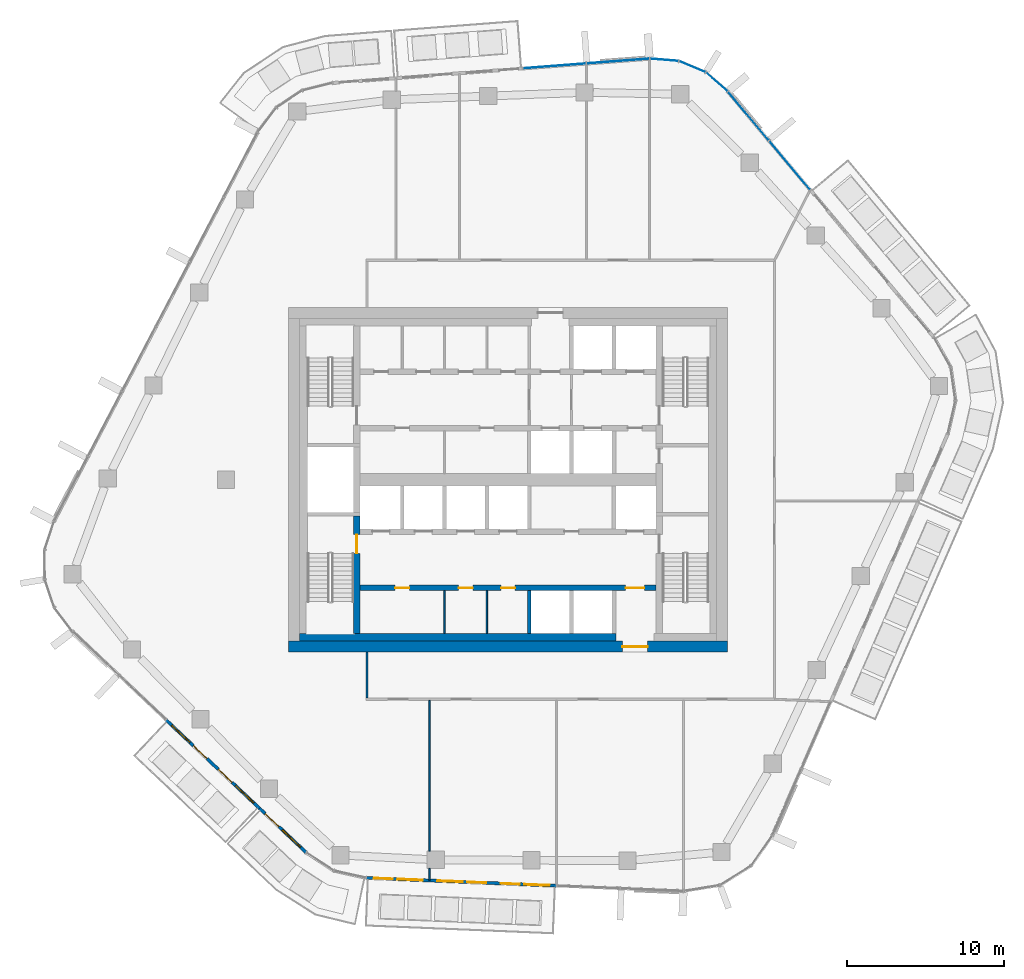
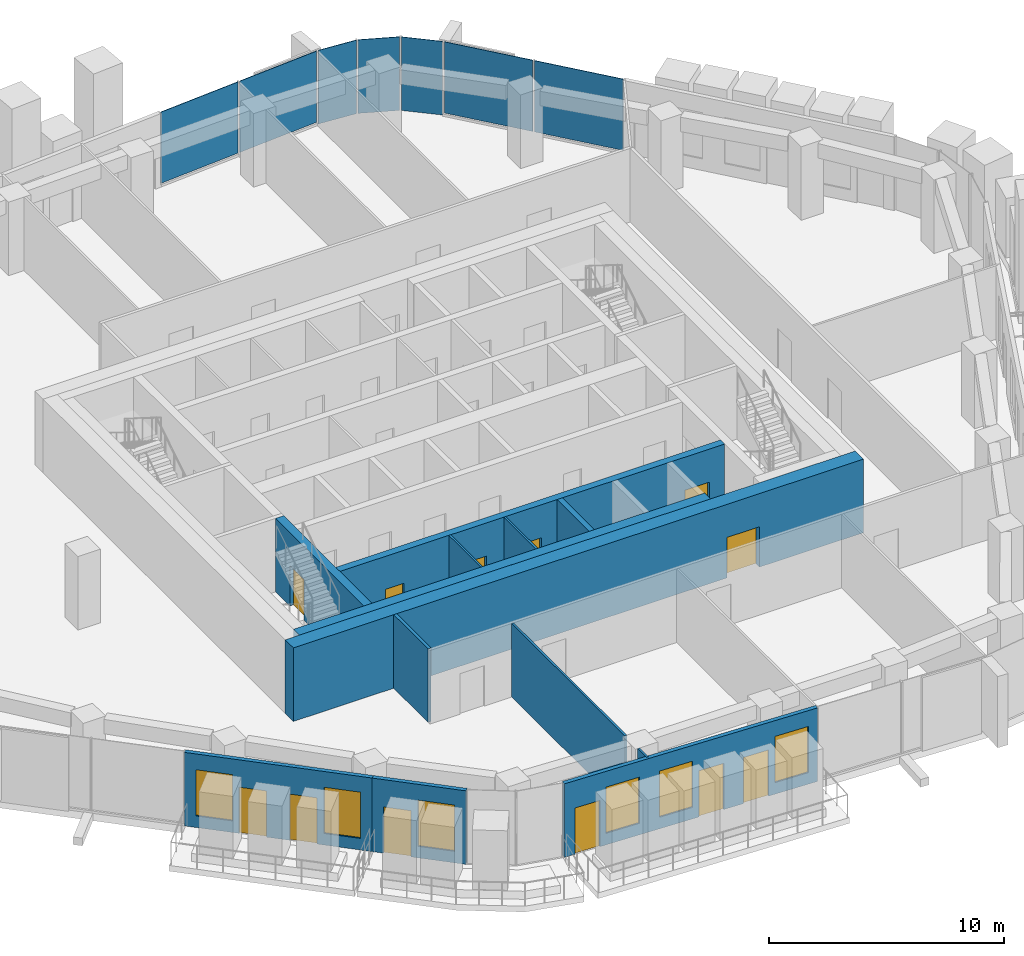
# One storey, part 10 of 20: 13 walls, 12 doors, 7 plates, 6 windows, 18 openings, 3 elements without a shape of their own.
"""IFC4 building model written with IfcOpenShell, lengths in metres."""

import ifcopenshell
import ifcopenshell.guid

model = None  # the IFC model being written
_history = None  # IfcOwnerHistory: only IFC2X3 demands one
_inside = {}  # id of a spatial element -> (the spatial element, [elements in it])
_under = {}  # id of a project, library or spatial element -> (it, [spatial elements below it])
_declared = {}  # id of a project -> (the project, [libraries it declares])
_typed = {}  # id of a type object -> (the type object, [elements of that type])
_made_of = {}  # id of a material, layer set ... -> (it, [elements and type objects made of it])


def new_model(schema):
    """Start an empty IFC model of exactly this schema.

    Asked for "IFC4X3", IfcOpenShell would pick the latest addendum, in which some entities
    have other attributes; the version numbers below select the first issue.
    IFC2X3 requires an IfcOwnerHistory on every rooted entity: one is made here for all.
    """
    global model, _history
    if schema == "IFC4X3":
        model = ifcopenshell.file(schema_version=(4, 3, 0, 0))
    else:
        model = ifcopenshell.file(schema=schema)
    _inside.clear()
    _under.clear()
    _declared.clear()
    _typed.clear()
    _made_of.clear()
    _history = None
    if model.schema == "IFC2X3":
        org = make("IfcOrganization", Name="unknown")
        user = make(
            "IfcPersonAndOrganization",
            ThePerson=make("IfcPerson", FamilyName="unknown"),
            TheOrganization=org,
        )
        app = make(
            "IfcApplication",
            ApplicationDeveloper=org,
            Version="unknown",
            ApplicationFullName="unknown",
            ApplicationIdentifier="unknown",
        )
        _history = make(
            "IfcOwnerHistory",
            OwningUser=user,
            OwningApplication=app,
            ChangeAction="ADDED",
            CreationDate=0,
        )
    return model


def make(cls, **values):
    """One entity of the class cls with the attributes given. An attribute that is None is left unset."""
    return model.create_entity(
        cls, **{name: value for name, value in values.items() if value is not None}
    )


def rooted(cls, **values):
    """An entity with a GlobalId (a new one), such as an element, a storey or a relation."""
    return make(cls, GlobalId=ifcopenshell.guid.new(), OwnerHistory=_history, **values)


def si_unit(unit_type, name, prefix=None):
    """IfcSIUnit, for example si_unit("LENGTHUNIT", "METRE", prefix="MILLI")."""
    return make("IfcSIUnit", UnitType=unit_type, Prefix=prefix, Name=name)


def assignment(units):
    """IfcUnitAssignment: the units of a project."""
    return None if units is None else make("IfcUnitAssignment", Units=units)


def point(xyz):
    """IfcCartesianPoint."""
    return None if xyz is None else make("IfcCartesianPoint", Coordinates=xyz)


def direction(xyz):
    """IfcDirection."""
    return None if xyz is None else make("IfcDirection", DirectionRatios=xyz)


def frame(location, z_axis=None, x_axis=None):
    """IfcAxis2Placement3D, a coordinate frame: its origin and axes. An axis left out is left unset."""
    return make(
        "IfcAxis2Placement3D",
        Location=point(location),
        Axis=direction(z_axis),
        RefDirection=direction(x_axis),
    )


def frame_2d(location, x_axis=None):
    """IfcAxis2Placement2D, a coordinate frame in the plane: its origin and x axis."""
    return make(
        "IfcAxis2Placement2D", Location=point(location), RefDirection=direction(x_axis)
    )


def origin():
    """The frame at (0, 0, 0) with its axes left unset."""
    return frame((0.0, 0.0, 0.0))


def origin_2d():
    """The frame at (0, 0) in the plane with its x axis left unset."""
    return frame_2d((0.0, 0.0))


def place(relative_to, where):
    """IfcLocalPlacement: puts the frame where relative to a parent placement (None: the world)."""
    return make(
        "IfcLocalPlacement", PlacementRelTo=relative_to, RelativePlacement=where
    )


def context(
    kind, dimensions, precision=None, world=None, true_north=None, identifier=None
):
    """IfcGeometricRepresentationContext, for example the 3D "Model" context."""
    return make(
        "IfcGeometricRepresentationContext",
        ContextIdentifier=identifier,
        ContextType=kind,
        CoordinateSpaceDimension=dimensions,
        Precision=precision,
        WorldCoordinateSystem=world,
        TrueNorth=true_north,
    )


def subcontext(parent, identifier, kind, view, scale=None):
    """IfcGeometricRepresentationSubContext, for example "Body" below "Model"."""
    return make(
        "IfcGeometricRepresentationSubContext",
        ContextIdentifier=identifier,
        ContextType=kind,
        ParentContext=parent,
        TargetScale=scale,
        TargetView=view,
    )


def project(units=None, contexts=None):
    """IfcProject with its units and contexts."""
    return rooted(
        "IfcProject",
        Name="project",
        RepresentationContexts=contexts,
        UnitsInContext=assignment(units),
    )


def spatial(cls, under=None, at=None, **own):
    """A site, building, storey or space (cls), placed at a placement, below another one or the project."""
    s = rooted(cls, ObjectPlacement=at, **own)
    if under is not None:
        _under.setdefault(under.id(), (under, []))[1].append(s)
    return s


def profile(cls, at=None, kind="AREA", **sizes):
    """A parametric profile (cls). Its sizes go by their IFC names, for example OverallWidth=200.0."""
    return make(cls, ProfileType=kind, Position=at, **sizes)


def rectangle(**sizes):
    """IfcRectangleProfileDef."""
    return profile("IfcRectangleProfileDef", **sizes)


def extrude(swept, where, along, depth):
    """IfcExtrudedAreaSolid: the profile swept, set in the frame where, extruded along a direction by depth."""
    return make(
        "IfcExtrudedAreaSolid",
        SweptArea=swept,
        Position=where,
        ExtrudedDirection=direction(along),
        Depth=depth,
    )


def shape(context_of_items, identifier, shape_type, items):
    """IfcShapeRepresentation: the items that make up one representation, for example the "Body"."""
    return make(
        "IfcShapeRepresentation",
        ContextOfItems=context_of_items,
        RepresentationIdentifier=identifier,
        RepresentationType=shape_type,
        Items=items,
    )


def material(Name=None, Category=None):
    """IfcMaterial."""
    return make("IfcMaterial", Name=Name, Category=Category)


def layer(
    of_material, thickness, ventilated=None, Name=None, Category=None, Priority=None
):
    """IfcMaterialLayer: one layer of a wall or slab, of a material (None: an air gap)."""
    return make(
        "IfcMaterialLayer",
        Material=of_material,
        LayerThickness=thickness,
        IsVentilated=ventilated,
        Name=Name,
        Category=Category,
        Priority=Priority,
    )


def layer_set(layers, Name=None):
    """IfcMaterialLayerSet."""
    return make("IfcMaterialLayerSet", MaterialLayers=layers, LayerSetName=Name)


def made_of(thing, what):
    """Note that an element or type object is made of a material, layer set ...; save() writes the relation."""
    if what is not None:
        _made_of.setdefault(what.id(), (what, []))[1].append(thing)
    return thing


def type_object(cls, material=None, **own):
    """A type object (cls), such as IfcWallType, which elements share."""
    return made_of(rooted(cls, **own), material)


def element(
    cls,
    number,
    at=None,
    inside=None,
    cuts=None,
    type_object=None,
    material=None,
    context=None,
    identifier="Body",
    shape_type=None,
    held_by="IfcProductDefinitionShape",
    body=None,
    shapes=None,
    **own,
):
    """One element of the class cls, such as IfcWall. Its Tag is "e" and its number.

    at: its placement. inside: the storey or other place that contains it. cuts: it is an
    opening in that element (IfcRelVoidsElement). A single representation is given by context,
    identifier, shape_type and body (its items); several are given by shapes. held_by: the class
    of the entity that holds the representations. save() writes the other relations.
    """
    e = rooted(cls, Tag="e%d" % number, ObjectPlacement=at, **own)
    if body is not None:
        shapes = [shape(context, identifier, shape_type, body)]
    if shapes is not None:
        e.Representation = make(held_by, Representations=shapes)
    if inside is not None:
        _inside.setdefault(inside.id(), (inside, []))[1].append(e)
    if cuts is not None:
        rooted(
            "IfcRelVoidsElement", RelatingBuildingElement=cuts, RelatedOpeningElement=e
        )
    if type_object is not None:
        _typed.setdefault(type_object.id(), (type_object, []))[1].append(e)
    return made_of(e, material)


def fill(opening, filler):
    """IfcRelFillsElement: the door or window that sits in an opening."""
    return rooted(
        "IfcRelFillsElement",
        RelatingOpeningElement=opening,
        RelatedBuildingElement=filler,
    )


def aggregate(whole, parts):
    """IfcRelAggregates: a whole, such as a stair, and the parts it consists of."""
    return rooted("IfcRelAggregates", RelatingObject=whole, RelatedObjects=parts)


def save(model, path):
    """Write the relations noted so far, then the file.

    IfcRelAggregates (storeys below a building ...), IfcRelContainedInSpatialStructure (elements
    in a storey), IfcRelDefinesByType, IfcRelAssociatesMaterial and IfcRelDeclares: one each for
    every whole, place, type object, material and project.
    """
    for whole, parts in _under.values():
        aggregate(whole, parts)
    for where, things in _inside.values():
        rooted(
            "IfcRelContainedInSpatialStructure",
            RelatedElements=things,
            RelatingStructure=where,
        )
    for kind, things in _typed.values():
        rooted("IfcRelDefinesByType", RelatedObjects=things, RelatingType=kind)
    for what, things in _made_of.values():
        rooted("IfcRelAssociatesMaterial", RelatedObjects=things, RelatingMaterial=what)
    for by, libraries in _declared.values():
        rooted("IfcRelDeclares", RelatingContext=by, RelatedDefinitions=libraries)
    model.write(path)


model = new_model("IFC4")

# Units and contexts
model_context = context("Model", 3, precision=1e-05, world=origin(), true_north=direction((0.0, 1.0)))
body_context = subcontext(model_context, "Body", "Model", "MODEL_VIEW")
ifc_project = project(units=[si_unit("LENGTHUNIT", "METRE"), si_unit("AREAUNIT", "SQUARE_METRE"), si_unit("VOLUMEUNIT", "CUBIC_METRE"), si_unit("PLANEANGLEUNIT", "RADIAN"), si_unit("MASSUNIT", "GRAM", prefix="KILO")], contexts=[model_context])

# Site, building, storey
site_placement = place(None, origin())
site = spatial("IfcSite", under=ifc_project, at=site_placement, CompositionType="ELEMENT")
building_placement = place(site_placement, origin())
building = spatial("IfcBuilding", under=site, at=building_placement, Name="Dongbaek Canopy Tower", CompositionType="ELEMENT")
storey_placement = place(building_placement, frame((0.0, 0.0, 249.60009765625)))
storey = spatial("IfcBuildingStorey", under=building, at=storey_placement, Name="L52", CompositionType="ELEMENT", Elevation=249.60009765625)

# Curtain wall, plates
ifc_material_1 = material(Name="Aluminium 6063-T6 pale anodised", Category="aluminium")
ifc_layer_1 = layer(ifc_material_1, 0.199951171875)
ifc_layer_set_1 = layer_set([ifc_layer_1], Name="CW-1 unitised tower curtain wall")
curtain_wall_type = type_object("IfcCurtainWallType", Name="CW-1 unitised tower curtain wall", PredefinedType="NOTDEFINED", material=ifc_layer_set_1)
curtain_wall_1_placement = place(storey_placement, origin())
curtain_wall_1 = element("IfcCurtainWall", 1, at=curtain_wall_1_placement, inside=storey, type_object=curtain_wall_type, Name="CW-1 curtain wall F0.1", PredefinedType="NOTDEFINED")
ifc_material_2 = material(Name="Clear laminated glass", Category="glass")
ifc_layer_2 = layer(ifc_material_2, 0.028076171875)
ifc_layer_set_2 = layer_set([ifc_layer_2], Name="CW-1 glazed panel 28")
plate_type = type_object("IfcPlateType", Name="CW-1 glazed panel 28", PredefinedType="CURTAIN_PANEL", material=ifc_layer_set_2)
plate_1_placement = place(storey_placement, frame((17.961669921875, 20.06689453125, 0.1201171875), z_axis=(0.0, 0.0, 1.0), x_axis=(-0.64239310834, 0.766375296025, 0.0)))
plate_1 = element("IfcPlate", 2, at=plate_1_placement, type_object=plate_type, Name="CW-1 panel F0.1.1.1", PredefinedType="CURTAIN_PANEL", context=body_context, shape_type="SweptSolid", body=[
    extrude(rectangle(XDim=4.0107421875, YDim=0.028076171875, at=origin_2d()), origin(), (0.0, 0.0, 1.0), 3.699951171875),
])
plate_2_placement = place(storey_placement, frame((15.333984375, 23.201904296875, 0.1201171875), z_axis=(0.0, 0.0, 1.0), x_axis=(-0.64239310834, 0.766375296025, 0.0)))
plate_2 = element("IfcPlate", 3, at=plate_2_placement, type_object=plate_type, Name="CW-1 panel F0.1.2.1", PredefinedType="CURTAIN_PANEL", context=body_context, shape_type="SweptSolid", body=[
    extrude(rectangle(XDim=4.002685546875, YDim=0.028076171875, at=origin_2d()), origin(), (0.0, 0.0, 1.0), 3.699951171875),
])
aggregate(curtain_wall_1, [plate_1, plate_2])

curtain_wall_2_placement = place(storey_placement, origin())
curtain_wall_2 = element("IfcCurtainWall", 4, at=curtain_wall_2_placement, inside=storey, type_object=curtain_wall_type, Name="CW-1 curtain wall K1.1", PredefinedType="NOTDEFINED")
plate_3_placement = place(storey_placement, frame((13.316162109375, 25.3798828125, 0.0), z_axis=(0.0, 0.0, 1.0), x_axis=(-0.755169247449, 0.655529867899, 0.0)))
plate_3 = element("IfcPlate", 5, at=plate_3_placement, type_object=plate_type, Name="CW-1 panel K1.1.1.1", PredefinedType="CURTAIN_PANEL", context=body_context, shape_type="SweptSolid", body=[
    extrude(rectangle(XDim=1.78369140625, YDim=0.028076171875, at=origin_2d()), origin(), (0.0, 0.0, 1.0), 3.820068359375),
])
plate_4_placement = place(storey_placement, frame((11.753662109375, 26.352783203125, 0.0), z_axis=(0.0, 0.0, 1.0), x_axis=(-0.921724317139, 0.387845695084, 0.0)))
plate_4 = element("IfcPlate", 6, at=plate_4_placement, type_object=plate_type, Name="CW-1 panel K1.1.2.1", PredefinedType="CURTAIN_PANEL", context=body_context, shape_type="SweptSolid", body=[
    extrude(rectangle(XDim=1.775634765625, YDim=0.028076171875, at=origin_2d()), origin(), (0.0, 0.0, 1.0), 3.820068359375),
])
plate_5_placement = place(storey_placement, frame((9.966064453125, 26.78955078125, 0.0), z_axis=(0.0, 0.0, 1.0), x_axis=(-0.996664222618, 0.081611441315, 0.0)))
plate_5 = element("IfcPlate", 7, at=plate_5_placement, type_object=plate_type, Name="CW-1 panel K1.1.3.1", PredefinedType="CURTAIN_PANEL", context=body_context, shape_type="SweptSolid", body=[
    extrude(rectangle(XDim=1.78369140625, YDim=0.028076171875, at=origin_2d()), origin(), (0.0, 0.0, 1.0), 3.820068359375),
])
aggregate(curtain_wall_2, [plate_3, plate_4, plate_5])

curtain_wall_3_placement = place(storey_placement, origin())
curtain_wall_3 = element("IfcCurtainWall", 8, at=curtain_wall_3_placement, inside=storey, type_object=curtain_wall_type, Name="CW-1 curtain wall F1.1", PredefinedType="NOTDEFINED")
plate_6_placement = place(storey_placement, frame((7.0146484375, 26.710693359375, 0.1201171875), z_axis=(0.0, 0.0, 1.0), x_axis=(-0.997068179949, -0.076518262748, 0.0)))
plate_6 = element("IfcPlate", 9, at=plate_6_placement, type_object=plate_type, Name="CW-1 panel F1.1.1.1", PredefinedType="CURTAIN_PANEL", context=body_context, shape_type="SweptSolid", body=[
    extrude(rectangle(XDim=3.968994140625, YDim=0.028076171875, at=origin_2d()), origin(), (0.0, 0.0, 1.0), 3.699951171875),
])
plate_7_placement = place(storey_placement, frame((2.969482421875, 26.400390625, 0.1201171875), z_axis=(0.0, 0.0, 1.0), x_axis=(-0.997068179949, -0.076518262748, 0.0)))
plate_7 = element("IfcPlate", 10, at=plate_7_placement, type_object=plate_type, Name="CW-1 panel F1.1.2.1", PredefinedType="CURTAIN_PANEL", context=body_context, shape_type="SweptSolid", body=[
    extrude(rectangle(XDim=3.97705078125, YDim=0.028076171875, at=origin_2d()), origin(), (0.0, 0.0, 1.0), 3.699951171875),
])
aggregate(curtain_wall_3, [plate_6, plate_7])

# Wall, openings, doors
ifc_material_3 = material(Name="Concrete C60/75", Category="concrete")
ifc_layer_3 = layer(ifc_material_3, 0.35009765625)
ifc_layer_set_3 = layer_set([ifc_layer_3], Name="Core lobby wall 350 Concrete C60/75")
wall_type_1 = type_object("IfcWallType", Name="Core lobby wall 350 Concrete C60/75", PredefinedType="SHEAR", material=ifc_layer_set_3)
wall_1_placement = place(storey_placement, frame((9.449951171875, -6.89990234375, 0.0), z_axis=(0.0, 0.0, 1.0), x_axis=(-1.0, 0.0, 0.0)))
wall_1 = element("IfcWall", 11, at=wall_1_placement, inside=storey, type_object=wall_type_1, Name="Core wall", PredefinedType="SHEAR", context=body_context, shape_type="SweptSolid", body=[
    extrude(rectangle(XDim=18.89990234375, YDim=0.35009765625, at=frame_2d((9.449951171875, 0.0))), origin(), (0.0, 0.0, 1.0), 3.81982421875),
])
opening_1_placement = place(wall_1_placement, frame((0.75, 0.0, 0.0)))
opening_1 = element("IfcOpeningElement", 12, at=opening_1_placement, cuts=wall_1, Name="Opening L52-D025", PredefinedType="OPENING", context=body_context, shape_type="SweptSolid", body=[
    extrude(rectangle(XDim=1.199951171875, YDim=2.10009765625, at=frame_2d((0.60009765625, 1.050048828125))), frame((0.0, 0.18505859375, 0.0), z_axis=(0.0, -1.0, 0.0), x_axis=(1.0, 0.0, 0.0)), (0.0, 0.0, 1.0), 0.3701171875),
])
opening_2_placement = place(wall_1_placement, frame((15.75, 0.0, 0.0)))
opening_2 = element("IfcOpeningElement", 13, at=opening_2_placement, cuts=wall_1, Name="Opening L52-D033", PredefinedType="OPENING", context=body_context, shape_type="SweptSolid", body=[
    extrude(rectangle(XDim=0.89990234375, YDim=2.10009765625, at=frame_2d((0.449951171875, 1.050048828125))), frame((0.0, 0.18505859375, 0.0), z_axis=(0.0, -1.0, 0.0), x_axis=(1.0, 0.0, 0.0)), (0.0, 0.0, 1.0), 0.3701171875),
])
opening_3_placement = place(wall_1_placement, frame((11.699951171875, 0.0, 0.0)))
opening_3 = element("IfcOpeningElement", 14, at=opening_3_placement, cuts=wall_1, Name="Opening L52-D034", PredefinedType="OPENING", context=body_context, shape_type="SweptSolid", body=[
    extrude(rectangle(XDim=0.89990234375, YDim=2.10009765625, at=frame_2d((0.449951171875, 1.050048828125))), frame((0.0, 0.18505859375, 0.0), z_axis=(0.0, -1.0, 0.0), x_axis=(1.0, 0.0, 0.0)), (0.0, 0.0, 1.0), 0.3701171875),
])
opening_4_placement = place(wall_1_placement, frame((9.0, 0.0, 0.0)))
opening_4 = element("IfcOpeningElement", 15, at=opening_4_placement, cuts=wall_1, Name="Opening L52-D035", PredefinedType="OPENING", context=body_context, shape_type="SweptSolid", body=[
    extrude(rectangle(XDim=0.89990234375, YDim=2.10009765625, at=frame_2d((0.449951171875, 1.050048828125))), frame((0.0, 0.18505859375, 0.0), z_axis=(0.0, -1.0, 0.0), x_axis=(1.0, 0.0, 0.0)), (0.0, 0.0, 1.0), 0.3701171875),
])
ifc_material_4 = material(Name="Steel", Category="steel")
door_type_1 = type_object("IfcDoorType", Name="Core room door 900 x 2100", OperationType="SINGLE_SWING_LEFT", PredefinedType="DOOR", material=ifc_material_4)
door_1_placement = place(opening_2_placement, origin())
door_1 = element("IfcDoor", 16, at=door_1_placement, inside=storey, type_object=door_type_1, Name="Door L52-D033", OperationType="SINGLE_SWING_LEFT", OverallHeight=2.10009765625, OverallWidth=0.89990234375, PredefinedType="DOOR", context=body_context, shape_type="SweptSolid", body=[
    extrude(rectangle(XDim=0.89990234375, YDim=2.10009765625, at=frame_2d((0.449951171875, 1.050048828125))), frame((0.0, 0.02490234375, 0.0), z_axis=(0.0, -1.0, 0.0), x_axis=(1.0, 0.0, 0.0)), (0.0, 0.0, 1.0), 0.050048828125),
])
fill(opening_2, door_1)
door_2_placement = place(opening_3_placement, origin())
door_2 = element("IfcDoor", 17, at=door_2_placement, inside=storey, type_object=door_type_1, Name="Door L52-D034", OperationType="SINGLE_SWING_RIGHT", OverallHeight=2.10009765625, OverallWidth=0.89990234375, PredefinedType="DOOR", context=body_context, shape_type="SweptSolid", body=[
    extrude(rectangle(XDim=0.89990234375, YDim=2.10009765625, at=frame_2d((0.449951171875, 1.050048828125))), frame((0.0, 0.02490234375, 0.0), z_axis=(0.0, -1.0, 0.0), x_axis=(1.0, 0.0, 0.0)), (0.0, 0.0, 1.0), 0.050048828125),
])
fill(opening_3, door_2)
door_3_placement = place(opening_4_placement, origin())
door_3 = element("IfcDoor", 18, at=door_3_placement, inside=storey, type_object=door_type_1, Name="Door L52-D035", OperationType="SINGLE_SWING_LEFT", OverallHeight=2.10009765625, OverallWidth=0.89990234375, PredefinedType="DOOR", context=body_context, shape_type="SweptSolid", body=[
    extrude(rectangle(XDim=0.89990234375, YDim=2.10009765625, at=frame_2d((0.449951171875, 1.050048828125))), frame((0.0, 0.02490234375, 0.0), z_axis=(0.0, -1.0, 0.0), x_axis=(1.0, 0.0, 0.0)), (0.0, 0.0, 1.0), 0.050048828125),
])
fill(opening_4, door_3)
ifc_material_5 = material(Name="Steel", Category="steel")
door_type_2 = type_object("IfcDoorType", Name="Fire lobby door 1200 x 2100", OperationType="SINGLE_SWING_LEFT", PredefinedType="DOOR", material=ifc_material_5)
door_4_placement = place(opening_1_placement, origin())
door_4 = element("IfcDoor", 19, at=door_4_placement, inside=storey, type_object=door_type_2, Name="Door L52-D025", OperationType="SINGLE_SWING_LEFT", OverallHeight=2.10009765625, OverallWidth=1.199951171875, PredefinedType="DOOR", context=body_context, shape_type="SweptSolid", body=[
    extrude(rectangle(XDim=1.199951171875, YDim=2.10009765625, at=frame_2d((0.60009765625, 1.050048828125))), frame((0.0, 0.02490234375, 0.0), z_axis=(0.0, -1.0, 0.0), x_axis=(1.0, 0.0, 0.0)), (0.0, 0.0, 1.0), 0.050048828125),
])
fill(opening_1, door_4)

# Wall, opening, door
ifc_material_6 = material(Name="Concrete C70/85", Category="concrete")
ifc_layer_4 = layer(ifc_material_6, 0.699951171875)
ifc_layer_set_4 = layer_set([ifc_layer_4], Name="Core outer wall 700 Concrete C70/85")
wall_type_2 = type_object("IfcWallType", Name="Core outer wall 700 Concrete C70/85", PredefinedType="SHEAR", material=ifc_layer_set_4)
wall_2_placement = place(storey_placement, frame((14.0, -10.64990234375, 0.0), z_axis=(0.0, 0.0, 1.0), x_axis=(-1.0, 0.0, 0.0)))
wall_2 = element("IfcWall", 20, at=wall_2_placement, inside=storey, type_object=wall_type_2, Name="Core wall", PredefinedType="SHEAR", context=body_context, shape_type="SweptSolid", body=[
    extrude(rectangle(XDim=28.0, YDim=0.699951171875, at=frame_2d((14.0, 0.0))), origin(), (0.0, 0.0, 1.0), 3.81982421875),
])
opening_5_placement = place(wall_2_placement, frame((5.10009765625, 0.0, 0.0)))
opening_5 = element("IfcOpeningElement", 21, at=opening_5_placement, cuts=wall_2, Name="Opening L52-D024", PredefinedType="OPENING", context=body_context, shape_type="SweptSolid", body=[
    extrude(rectangle(XDim=1.60009765625, YDim=2.10009765625, at=frame_2d((0.800048828125, 1.050048828125))), frame((0.0, 0.35986328125, 0.0), z_axis=(0.0, -1.0, 0.0), x_axis=(1.0, 0.0, 0.0)), (0.0, 0.0, 1.0), 0.719970703125),
])
ifc_material_7 = material(Name="Steel", Category="steel")
door_type_3 = type_object("IfcDoorType", Name="Core exit door 1600 x 2100", OperationType="DOUBLE_DOOR_SINGLE_SWING", PredefinedType="DOOR", material=ifc_material_7)
door_5_placement = place(opening_5_placement, origin())
door_5 = element("IfcDoor", 22, at=door_5_placement, inside=storey, type_object=door_type_3, Name="Core exit door", OperationType="DOUBLE_DOOR_SINGLE_SWING", OverallHeight=2.10009765625, OverallWidth=1.60009765625, PredefinedType="DOOR", context=body_context, shape_type="SweptSolid", body=[
    extrude(rectangle(XDim=1.60009765625, YDim=2.10009765625, at=frame_2d((0.800048828125, 1.050048828125))), frame((0.0, 0.02490234375, 0.0), z_axis=(0.0, -1.0, 0.0), x_axis=(1.0, 0.0, 0.0)), (0.0, 0.0, 1.0), 0.050048828125),
])
fill(opening_5, door_5)

# Walls
ifc_material_8 = material(Name="Concrete C60/75", Category="concrete")
ifc_layer_5 = layer(ifc_material_8, 0.5)
ifc_layer_set_5 = layer_set([ifc_layer_5], Name="Core wall lining 500 Concrete C60/75")
wall_type_3 = type_object("IfcWallType", Name="Core wall lining 500 Concrete C60/75", PredefinedType="SHEAR", material=ifc_layer_set_5)
wall_3_placement = place(storey_placement, frame((6.89990234375, -10.050048828125, 0.0), z_axis=(0.0, 0.0, 1.0), x_axis=(-1.0, 0.0, 0.0)))
element("IfcWall", 23, at=wall_3_placement, inside=storey, type_object=wall_type_3, Name="Core wall lining", PredefinedType="SHEAR", context=body_context, shape_type="SweptSolid", body=[
    extrude(rectangle(XDim=20.199951171875, YDim=0.5, at=frame_2d((10.10009765625, 0.0))), origin(), (0.0, 0.0, 1.0), 3.81982421875),
])
ifc_material_9 = material(Name="Gypsum board partition, steel stud, 2 x 15 mm fire board", Category="steel")
ifc_layer_6 = layer(ifc_material_9, 0.14990234375)
ifc_layer_set_6 = layer_set([ifc_layer_6], Name="Fire-rated partition 150 gypsum board")
wall_type_4 = type_object("IfcWallType", Name="Fire-rated partition 150 gypsum board", PredefinedType="PARTITIONING", material=ifc_layer_set_6)
wall_4_placement = place(storey_placement, frame((-9.0, -13.925048828125, 0.0), z_axis=(0.0, 0.0, 1.0), x_axis=(0.0, 1.0, 0.0)))
element("IfcWall", 24, at=wall_4_placement, inside=storey, type_object=wall_type_4, Name="Corridor partition", PredefinedType="PARTITIONING", context=body_context, shape_type="SweptSolid", body=[
    extrude(rectangle(XDim=2.925048828125, YDim=0.14990234375, at=frame_2d((1.46240234375, 0.0))), origin(), (0.0, 0.0, 1.0), 3.81982421875),
])
ifc_material_10 = material(Name="Concrete C40/50", Category="concrete")
ifc_layer_7 = layer(ifc_material_10, 0.25)
ifc_layer_set_7 = layer_set([ifc_layer_7], Name="Lift shaft wall 250 Concrete C40/50")
wall_type_5 = type_object("IfcWallType", Name="Lift shaft wall 250 Concrete C40/50", PredefinedType="SOLIDWALL", material=ifc_layer_set_7)
wall_5_placement = place(storey_placement, frame((1.35009765625, -9.800048828125, 0.0), z_axis=(0.0, 0.0, 1.0), x_axis=(0.0, 1.0, 0.0)))
element("IfcWall", 25, at=wall_5_placement, inside=storey, type_object=wall_type_5, Name="Lift shaft wall", PredefinedType="SOLIDWALL", context=body_context, shape_type="SweptSolid", body=[
    extrude(rectangle(XDim=2.72509765625, YDim=0.25, at=frame_2d((1.362548828125, 0.0))), origin(), (0.0, 0.0, 1.0), 3.81982421875),
])
ifc_material_11 = material(Name="Gypsum board partition, steel stud, 2 x 12.5 mm board", Category="steel")
ifc_layer_8 = layer(ifc_material_11, 0.10009765625)
ifc_layer_set_8 = layer_set([ifc_layer_8], Name="Partition 100 gypsum board")
wall_type_6 = type_object("IfcWallType", Name="Partition 100 gypsum board", PredefinedType="PARTITIONING", material=ifc_layer_set_8)
wall_6_placement = place(storey_placement, frame((-5.001953125, -25.54296875, 0.0), z_axis=(0.0, 0.0, 1.0), x_axis=(0.0, 1.0, 0.0)))
element("IfcWall", 26, at=wall_6_placement, inside=storey, type_object=wall_type_6, Name="Partition", PredefinedType="PARTITIONING", context=body_context, shape_type="SweptSolid", body=[
    extrude(rectangle(XDim=0.7470703125, YDim=0.10009765625, at=frame_2d((0.37353515625, 0.0))), origin(), (0.0, 0.0, 1.0), 3.81982421875),
])
wall_7_placement = place(storey_placement, frame((-5.001953125, -23.696044921875, 0.0), z_axis=(0.0, 0.0, 1.0), x_axis=(0.0, 1.0, 0.0)))
element("IfcWall", 27, at=wall_7_placement, inside=storey, type_object=wall_type_6, Name="Partition", PredefinedType="PARTITIONING", context=body_context, shape_type="SweptSolid", body=[
    extrude(rectangle(XDim=9.62109375, YDim=0.10009765625, at=frame_2d((4.810546875, 0.0))), origin(), (0.0, 0.0, 1.0), 3.81982421875),
])
for number, where, z_axis, x_axis, name in (
    (28, (-1.35009765625, -9.800048828125, 0.0), (0.0, 0.0, 1.0), (0.0, 1.0, 0.0), "Core partition"),
    (29, (-4.050048828125, -9.800048828125, 0.0), (0.0, 0.0, 1.0), (0.0, 1.0, 0.0), "Core partition"),
):
    element("IfcWall", number, at=place(storey_placement, frame(where, z_axis=z_axis, x_axis=x_axis)), inside=storey, type_object=wall_type_6, Name=name, PredefinedType="PARTITIONING", context=body_context, shape_type="SweptSolid", body=[
        extrude(rectangle(XDim=2.72509765625, YDim=0.10009765625, at=frame_2d((1.362548828125, 0.0))), origin(), (0.0, 0.0, 1.0), 3.81982421875),
    ])

# Wall, opening, door
ifc_material_12 = material(Name="Concrete C60/75", Category="concrete")
ifc_layer_9 = layer(ifc_material_12, 0.39990234375)
ifc_layer_set_9 = layer_set([ifc_layer_9], Name="Stair wall 400 Concrete C60/75")
wall_type_7 = type_object("IfcWallType", Name="Stair wall 400 Concrete C60/75", PredefinedType="SHEAR", material=ifc_layer_set_9)
wall_8_placement = place(storey_placement, frame((-9.64990234375, -9.800048828125, 0.0), z_axis=(0.0, 0.0, 1.0), x_axis=(0.0, 1.0, 0.0)))
wall_8 = element("IfcWall", 30, at=wall_8_placement, inside=storey, type_object=wall_type_7, Name="Stair wall", PredefinedType="SHEAR", context=body_context, shape_type="SweptSolid", body=[
    extrude(rectangle(XDim=7.5, YDim=0.39990234375, at=frame_2d((3.75, 0.0))), origin(), (0.0, 0.0, 1.0), 3.81982421875),
])
opening_6_placement = place(wall_8_placement, frame((5.10009765625, 0.0, 0.0)))
opening_6 = element("IfcOpeningElement", 31, at=opening_6_placement, cuts=wall_8, Name="Opening L52-D039", PredefinedType="OPENING", context=body_context, shape_type="SweptSolid", body=[
    extrude(rectangle(XDim=1.199951171875, YDim=2.10009765625, at=frame_2d((0.60009765625, 1.050048828125))), frame((0.0, 0.2099609375, 0.0), z_axis=(0.0, -1.0, 0.0), x_axis=(1.0, 0.0, 0.0)), (0.0, 0.0, 1.0), 0.419921875),
])
ifc_material_13 = material(Name="Steel", Category="steel")
door_type_4 = type_object("IfcDoorType", Name="Stair door 1200 x 2100", OperationType="SINGLE_SWING_LEFT", PredefinedType="DOOR", material=ifc_material_13)
door_6_placement = place(opening_6_placement, origin())
door_6 = element("IfcDoor", 32, at=door_6_placement, inside=storey, type_object=door_type_4, Name="Stair D door", OperationType="SINGLE_SWING_LEFT", OverallHeight=2.10009765625, OverallWidth=1.199951171875, PredefinedType="DOOR", context=body_context, shape_type="SweptSolid", body=[
    extrude(rectangle(XDim=1.199951171875, YDim=2.10009765625, at=frame_2d((0.60009765625, 1.050048828125))), frame((0.0, 0.02490234375, 0.0), z_axis=(0.0, -1.0, 0.0), x_axis=(1.0, 0.0, 0.0)), (0.0, 0.0, 1.0), 0.050048828125),
])
fill(opening_6, door_6)

# Wall, openings, doors, windows
ifc_material_14 = material(Name="Aluminium window wall", Category="aluminium")
ifc_layer_10 = layer(ifc_material_14, 0.199951171875)
ifc_layer_set_10 = layer_set([ifc_layer_10], Name="Window wall 200")
wall_type_8 = type_object("IfcWallType", Name="Window wall 200", PredefinedType="SOLIDWALL", material=ifc_layer_set_10)
wall_9_placement = place(storey_placement, frame((-21.822998046875, -15.315185546875, 0.0), z_axis=(0.0, 0.0, 1.0), x_axis=(0.72637578777, -0.68729776294, 0.0)))
wall_9 = element("IfcWall", 33, at=wall_9_placement, inside=storey, type_object=wall_type_8, Name="Window wall L52 3", PredefinedType="SOLIDWALL", context=body_context, shape_type="SweptSolid", body=[
    extrude(rectangle(XDim=8.215576171875, YDim=0.199951171875, at=frame_2d((4.10791015625, 0.0))), origin(), (0.0, 0.0, 1.0), 3.81982421875),
])
opening_7_placement = place(wall_9_placement, frame((0.5, 0.0, 0.60009765625)))
opening_7 = element("IfcOpeningElement", 34, at=opening_7_placement, cuts=wall_9, Name="Opening W1", PredefinedType="OPENING", context=body_context, shape_type="SweptSolid", body=[
    extrude(rectangle(XDim=1.60009765625, YDim=2.39990234375, at=frame_2d((0.800048828125, 1.199951171875))), frame((0.0, 0.10986328125, 0.0), z_axis=(0.0, -1.0, 0.0), x_axis=(1.0, 0.0, 0.0)), (0.0, 0.0, 1.0), 0.219970703125),
])
opening_8_placement = place(wall_9_placement, frame((2.39990234375, 0.0, 0.0)))
opening_8 = element("IfcOpeningElement", 35, at=opening_8_placement, cuts=wall_9, Name="Opening L52-B07", PredefinedType="OPENING", context=body_context, shape_type="SweptSolid", body=[
    extrude(rectangle(XDim=1.199951171875, YDim=2.39990234375, at=frame_2d((0.60009765625, 1.199951171875))), frame((0.0, 0.10986328125, 0.0), z_axis=(0.0, -1.0, 0.0), x_axis=(1.0, 0.0, 0.0)), (0.0, 0.0, 1.0), 0.219970703125),
])
opening_9_placement = place(wall_9_placement, frame((6.107666015625, 0.0, 0.60009765625)))
opening_9 = element("IfcOpeningElement", 36, at=opening_9_placement, cuts=wall_9, Name="Opening W1", PredefinedType="OPENING", context=body_context, shape_type="SweptSolid", body=[
    extrude(rectangle(XDim=1.60009765625, YDim=2.39990234375, at=frame_2d((0.800048828125, 1.199951171875))), frame((0.0, 0.10986328125, 0.0), z_axis=(0.0, -1.0, 0.0), x_axis=(1.0, 0.0, 0.0)), (0.0, 0.0, 1.0), 0.219970703125),
])
opening_10_placement = place(wall_9_placement, frame((4.607666015625, 0.0, 0.0)))
opening_10 = element("IfcOpeningElement", 37, at=opening_10_placement, cuts=wall_9, Name="Opening L52-B08", PredefinedType="OPENING", context=body_context, shape_type="SweptSolid", body=[
    extrude(rectangle(XDim=1.199951171875, YDim=2.39990234375, at=frame_2d((0.60009765625, 1.199951171875))), frame((0.0, 0.10986328125, 0.0), z_axis=(0.0, -1.0, 0.0), x_axis=(1.0, 0.0, 0.0)), (0.0, 0.0, 1.0), 0.219970703125),
])
ifc_material_15 = material(Name="Clear glazing in aluminium frame", Category="aluminium")
door_type_5 = type_object("IfcDoorType", Name="Balcony door BD1 1200 x 2400", OperationType="SLIDING_TO_LEFT", PredefinedType="DOOR", material=ifc_material_15)
door_7_placement = place(opening_8_placement, origin())
door_7 = element("IfcDoor", 38, at=door_7_placement, inside=storey, type_object=door_type_5, Name="Balcony door L52-B07", OperationType="SLIDING_TO_LEFT", OverallHeight=2.39990234375, OverallWidth=1.199951171875, PredefinedType="DOOR", context=body_context, shape_type="SweptSolid", body=[
    extrude(rectangle(XDim=1.199951171875, YDim=2.39990234375, at=frame_2d((0.60009765625, 1.199951171875))), frame((0.0, 0.02490234375, 0.0), z_axis=(0.0, -1.0, 0.0), x_axis=(1.0, 0.0, 0.0)), (0.0, 0.0, 1.0), 0.050048828125),
])
fill(opening_8, door_7)
door_8_placement = place(opening_10_placement, origin())
door_8 = element("IfcDoor", 39, at=door_8_placement, inside=storey, type_object=door_type_5, Name="Balcony door L52-B08", OperationType="SLIDING_TO_LEFT", OverallHeight=2.39990234375, OverallWidth=1.199951171875, PredefinedType="DOOR", context=body_context, shape_type="SweptSolid", body=[
    extrude(rectangle(XDim=1.199951171875, YDim=2.39990234375, at=frame_2d((0.60009765625, 1.199951171875))), frame((0.0, 0.02490234375, 0.0), z_axis=(0.0, -1.0, 0.0), x_axis=(1.0, 0.0, 0.0)), (0.0, 0.0, 1.0), 0.050048828125),
])
fill(opening_10, door_8)
ifc_material_16 = material(Name="Clear glazing in aluminium frame", Category="aluminium")
window_type = type_object("IfcWindowType", Name="Window W1 1600 x 2400", PartitioningType="SINGLE_PANEL", PredefinedType="WINDOW", material=ifc_material_16)
window_1_placement = place(opening_7_placement, origin())
window_1 = element("IfcWindow", 40, at=window_1_placement, inside=storey, type_object=window_type, Name="Window L52 3.1", OverallHeight=2.39990234375, OverallWidth=1.60009765625, PartitioningType="SINGLE_PANEL", PredefinedType="WINDOW", context=body_context, shape_type="SweptSolid", body=[
    extrude(rectangle(XDim=1.60009765625, YDim=2.39990234375, at=frame_2d((0.800048828125, 1.199951171875))), frame((0.0, 0.030029296875, 0.0), z_axis=(0.0, -1.0, 0.0), x_axis=(1.0, 0.0, 0.0)), (0.0, 0.0, 1.0), 0.06005859375),
])
fill(opening_7, window_1)
window_2_placement = place(opening_9_placement, origin())
window_2 = element("IfcWindow", 41, at=window_2_placement, inside=storey, type_object=window_type, Name="Window L52 3.2", OverallHeight=2.39990234375, OverallWidth=1.60009765625, PartitioningType="SINGLE_PANEL", PredefinedType="WINDOW", context=body_context, shape_type="SweptSolid", body=[
    extrude(rectangle(XDim=1.60009765625, YDim=2.39990234375, at=frame_2d((0.800048828125, 1.199951171875))), frame((0.0, 0.030029296875, 0.0), z_axis=(0.0, -1.0, 0.0), x_axis=(1.0, 0.0, 0.0)), (0.0, 0.0, 1.0), 0.06005859375),
])
fill(opening_9, window_2)

# Wall, openings, door, window
wall_10_placement = place(storey_placement, frame((-15.85546875, -20.961669921875, 0.0), z_axis=(0.0, 0.0, 1.0), x_axis=(0.726345438905, -0.687329835946, 0.0)))
wall_10 = element("IfcWall", 42, at=wall_10_placement, inside=storey, type_object=wall_type_8, Name="Window wall L52 8", PredefinedType="SOLIDWALL", context=body_context, shape_type="SweptSolid", body=[
    extrude(rectangle(XDim=4.0986328125, YDim=0.199951171875, at=frame_2d((2.04931640625, 0.0))), origin(), (0.0, 0.0, 1.0), 3.81982421875),
])
opening_11_placement = place(wall_10_placement, frame((2.0, 0.0, 0.60009765625)))
opening_11 = element("IfcOpeningElement", 43, at=opening_11_placement, cuts=wall_10, Name="Opening W1", PredefinedType="OPENING", context=body_context, shape_type="SweptSolid", body=[
    extrude(rectangle(XDim=1.60009765625, YDim=2.39990234375, at=frame_2d((0.800048828125, 1.199951171875))), frame((0.0, 0.10986328125, 0.0), z_axis=(0.0, -1.0, 0.0), x_axis=(1.0, 0.0, 0.0)), (0.0, 0.0, 1.0), 0.219970703125),
])
opening_12_placement = place(wall_10_placement, frame((0.5, 0.0, 0.0)))
opening_12 = element("IfcOpeningElement", 44, at=opening_12_placement, cuts=wall_10, Name="Opening L52-B09", PredefinedType="OPENING", context=body_context, shape_type="SweptSolid", body=[
    extrude(rectangle(XDim=1.199951171875, YDim=2.39990234375, at=frame_2d((0.60009765625, 1.199951171875))), frame((0.0, 0.10986328125, 0.0), z_axis=(0.0, -1.0, 0.0), x_axis=(1.0, 0.0, 0.0)), (0.0, 0.0, 1.0), 0.219970703125),
])
door_9_placement = place(opening_12_placement, origin())
door_9 = element("IfcDoor", 45, at=door_9_placement, inside=storey, type_object=door_type_5, Name="Balcony door L52-B09", OperationType="SLIDING_TO_LEFT", OverallHeight=2.39990234375, OverallWidth=1.199951171875, PredefinedType="DOOR", context=body_context, shape_type="SweptSolid", body=[
    extrude(rectangle(XDim=1.199951171875, YDim=2.39990234375, at=frame_2d((0.60009765625, 1.199951171875))), frame((0.0, 0.02490234375, 0.0), z_axis=(0.0, -1.0, 0.0), x_axis=(1.0, 0.0, 0.0)), (0.0, 0.0, 1.0), 0.050048828125),
])
fill(opening_12, door_9)
window_3_placement = place(opening_11_placement, origin())
window_3 = element("IfcWindow", 46, at=window_3_placement, inside=storey, type_object=window_type, Name="Window L52 8.1", OverallHeight=2.39990234375, OverallWidth=1.60009765625, PartitioningType="SINGLE_PANEL", PredefinedType="WINDOW", context=body_context, shape_type="SweptSolid", body=[
    extrude(rectangle(XDim=1.60009765625, YDim=2.39990234375, at=frame_2d((0.800048828125, 1.199951171875))), frame((0.0, 0.030029296875, 0.0), z_axis=(0.0, -1.0, 0.0), x_axis=(1.0, 0.0, 0.0)), (0.0, 0.0, 1.0), 0.06005859375),
])
fill(opening_11, window_3)

# Wall, openings, doors, windows
wall_11_placement = place(storey_placement, frame((-9.052490234375, -25.394775390625, 0.0), z_axis=(0.0, 0.0, 1.0), x_axis=(0.999139463312, -0.041476895419, 0.0)))
wall_11 = element("IfcWall", 47, at=wall_11_placement, inside=storey, type_object=wall_type_8, Name="Window wall L52 4", PredefinedType="SOLIDWALL", context=body_context, shape_type="SweptSolid", body=[
    extrude(rectangle(XDim=12.160888671875, YDim=0.199951171875, at=frame_2d((6.08056640625, 0.0))), origin(), (0.0, 0.0, 1.0), 3.81982421875),
])
opening_13_placement = place(wall_11_placement, frame((2.0, 0.0, 0.60009765625)))
opening_13 = element("IfcOpeningElement", 48, at=opening_13_placement, cuts=wall_11, Name="Opening W1", PredefinedType="OPENING", context=body_context, shape_type="SweptSolid", body=[
    extrude(rectangle(XDim=1.60009765625, YDim=2.39990234375, at=frame_2d((0.800048828125, 1.199951171875))), frame((0.0, 0.10986328125, 0.0), z_axis=(0.0, -1.0, 0.0), x_axis=(1.0, 0.0, 0.0)), (0.0, 0.0, 1.0), 0.219970703125),
])
opening_14_placement = place(wall_11_placement, frame((0.5, 0.0, 0.0)))
opening_14 = element("IfcOpeningElement", 49, at=opening_14_placement, cuts=wall_11, Name="Opening L52-B10", PredefinedType="OPENING", context=body_context, shape_type="SweptSolid", body=[
    extrude(rectangle(XDim=1.199951171875, YDim=2.39990234375, at=frame_2d((0.60009765625, 1.199951171875))), frame((0.0, 0.10986328125, 0.0), z_axis=(0.0, -1.0, 0.0), x_axis=(1.0, 0.0, 0.0)), (0.0, 0.0, 1.0), 0.219970703125),
])
opening_15_placement = place(wall_11_placement, frame((4.5537109375, 0.0, 0.60009765625)))
opening_15 = element("IfcOpeningElement", 50, at=opening_15_placement, cuts=wall_11, Name="Opening W1", PredefinedType="OPENING", context=body_context, shape_type="SweptSolid", body=[
    extrude(rectangle(XDim=1.60009765625, YDim=2.39990234375, at=frame_2d((0.800048828125, 1.199951171875))), frame((0.0, 0.10986328125, 0.0), z_axis=(0.0, -1.0, 0.0), x_axis=(1.0, 0.0, 0.0)), (0.0, 0.0, 1.0), 0.219970703125),
])
opening_16_placement = place(wall_11_placement, frame((6.45361328125, 0.0, 0.0)))
opening_16 = element("IfcOpeningElement", 51, at=opening_16_placement, cuts=wall_11, Name="Opening L52-B11", PredefinedType="OPENING", context=body_context, shape_type="SweptSolid", body=[
    extrude(rectangle(XDim=1.199951171875, YDim=2.39990234375, at=frame_2d((0.60009765625, 1.199951171875))), frame((0.0, 0.10986328125, 0.0), z_axis=(0.0, -1.0, 0.0), x_axis=(1.0, 0.0, 0.0)), (0.0, 0.0, 1.0), 0.219970703125),
])
opening_17_placement = place(wall_11_placement, frame((10.107177734375, 0.0, 0.60009765625)))
opening_17 = element("IfcOpeningElement", 52, at=opening_17_placement, cuts=wall_11, Name="Opening W1", PredefinedType="OPENING", context=body_context, shape_type="SweptSolid", body=[
    extrude(rectangle(XDim=1.60009765625, YDim=2.39990234375, at=frame_2d((0.800048828125, 1.199951171875))), frame((0.0, 0.10986328125, 0.0), z_axis=(0.0, -1.0, 0.0), x_axis=(1.0, 0.0, 0.0)), (0.0, 0.0, 1.0), 0.219970703125),
])
opening_18_placement = place(wall_11_placement, frame((8.607177734375, 0.0, 0.0)))
opening_18 = element("IfcOpeningElement", 53, at=opening_18_placement, cuts=wall_11, Name="Opening L52-B12", PredefinedType="OPENING", context=body_context, shape_type="SweptSolid", body=[
    extrude(rectangle(XDim=1.199951171875, YDim=2.39990234375, at=frame_2d((0.60009765625, 1.199951171875))), frame((0.0, 0.10986328125, 0.0), z_axis=(0.0, -1.0, 0.0), x_axis=(1.0, 0.0, 0.0)), (0.0, 0.0, 1.0), 0.219970703125),
])
door_10_placement = place(opening_14_placement, origin())
door_10 = element("IfcDoor", 54, at=door_10_placement, inside=storey, type_object=door_type_5, Name="Balcony door L52-B10", OperationType="SLIDING_TO_LEFT", OverallHeight=2.39990234375, OverallWidth=1.199951171875, PredefinedType="DOOR", context=body_context, shape_type="SweptSolid", body=[
    extrude(rectangle(XDim=1.199951171875, YDim=2.39990234375, at=frame_2d((0.60009765625, 1.199951171875))), frame((0.0, 0.02490234375, 0.0), z_axis=(0.0, -1.0, 0.0), x_axis=(1.0, 0.0, 0.0)), (0.0, 0.0, 1.0), 0.050048828125),
])
fill(opening_14, door_10)
door_11_placement = place(opening_16_placement, origin())
door_11 = element("IfcDoor", 55, at=door_11_placement, inside=storey, type_object=door_type_5, Name="Balcony door L52-B11", OperationType="SLIDING_TO_LEFT", OverallHeight=2.39990234375, OverallWidth=1.199951171875, PredefinedType="DOOR", context=body_context, shape_type="SweptSolid", body=[
    extrude(rectangle(XDim=1.199951171875, YDim=2.39990234375, at=frame_2d((0.60009765625, 1.199951171875))), frame((0.0, 0.02490234375, 0.0), z_axis=(0.0, -1.0, 0.0), x_axis=(1.0, 0.0, 0.0)), (0.0, 0.0, 1.0), 0.050048828125),
])
fill(opening_16, door_11)
door_12_placement = place(opening_18_placement, origin())
door_12 = element("IfcDoor", 56, at=door_12_placement, inside=storey, type_object=door_type_5, Name="Balcony door L52-B12", OperationType="SLIDING_TO_LEFT", OverallHeight=2.39990234375, OverallWidth=1.199951171875, PredefinedType="DOOR", context=body_context, shape_type="SweptSolid", body=[
    extrude(rectangle(XDim=1.199951171875, YDim=2.39990234375, at=frame_2d((0.60009765625, 1.199951171875))), frame((0.0, 0.02490234375, 0.0), z_axis=(0.0, -1.0, 0.0), x_axis=(1.0, 0.0, 0.0)), (0.0, 0.0, 1.0), 0.050048828125),
])
fill(opening_18, door_12)
window_4_placement = place(opening_13_placement, origin())
window_4 = element("IfcWindow", 57, at=window_4_placement, inside=storey, type_object=window_type, Name="Window L52 4.1", OverallHeight=2.39990234375, OverallWidth=1.60009765625, PartitioningType="SINGLE_PANEL", PredefinedType="WINDOW", context=body_context, shape_type="SweptSolid", body=[
    extrude(rectangle(XDim=1.60009765625, YDim=2.39990234375, at=frame_2d((0.800048828125, 1.199951171875))), frame((0.0, 0.030029296875, 0.0), z_axis=(0.0, -1.0, 0.0), x_axis=(1.0, 0.0, 0.0)), (0.0, 0.0, 1.0), 0.06005859375),
])
fill(opening_13, window_4)
window_5_placement = place(opening_15_placement, origin())
window_5 = element("IfcWindow", 58, at=window_5_placement, inside=storey, type_object=window_type, Name="Window L52 4.2", OverallHeight=2.39990234375, OverallWidth=1.60009765625, PartitioningType="SINGLE_PANEL", PredefinedType="WINDOW", context=body_context, shape_type="SweptSolid", body=[
    extrude(rectangle(XDim=1.60009765625, YDim=2.39990234375, at=frame_2d((0.800048828125, 1.199951171875))), frame((0.0, 0.030029296875, 0.0), z_axis=(0.0, -1.0, 0.0), x_axis=(1.0, 0.0, 0.0)), (0.0, 0.0, 1.0), 0.06005859375),
])
fill(opening_15, window_5)
window_6_placement = place(opening_17_placement, origin())
window_6 = element("IfcWindow", 59, at=window_6_placement, inside=storey, type_object=window_type, Name="Window L52 4.3", OverallHeight=2.39990234375, OverallWidth=1.60009765625, PartitioningType="SINGLE_PANEL", PredefinedType="WINDOW", context=body_context, shape_type="SweptSolid", body=[
    extrude(rectangle(XDim=1.60009765625, YDim=2.39990234375, at=frame_2d((0.800048828125, 1.199951171875))), frame((0.0, 0.030029296875, 0.0), z_axis=(0.0, -1.0, 0.0), x_axis=(1.0, 0.0, 0.0)), (0.0, 0.0, 1.0), 0.06005859375),
])
fill(opening_17, window_6)

save(model, "model.ifc")
